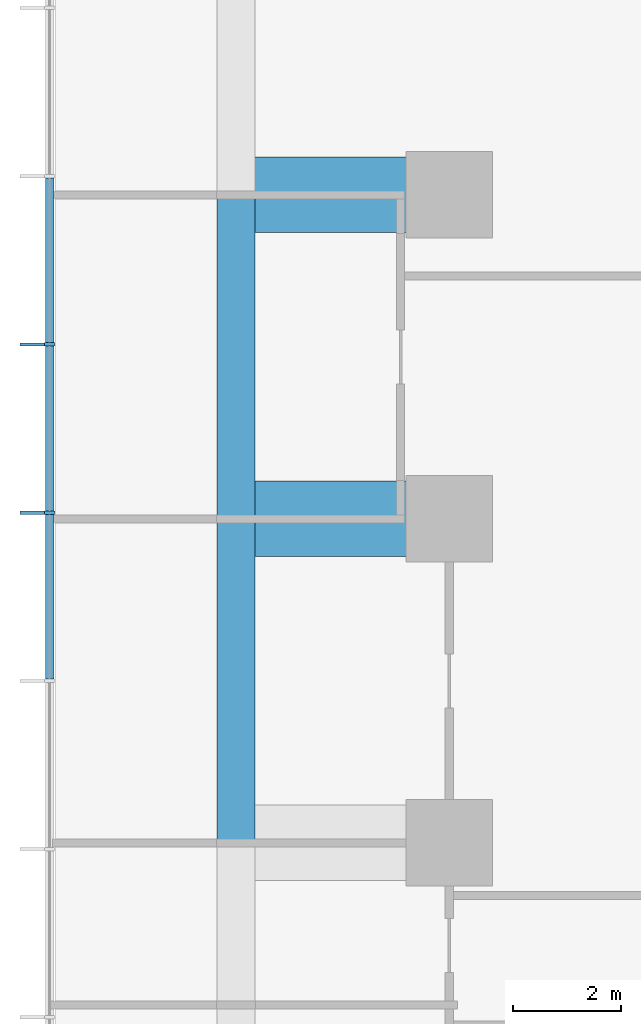
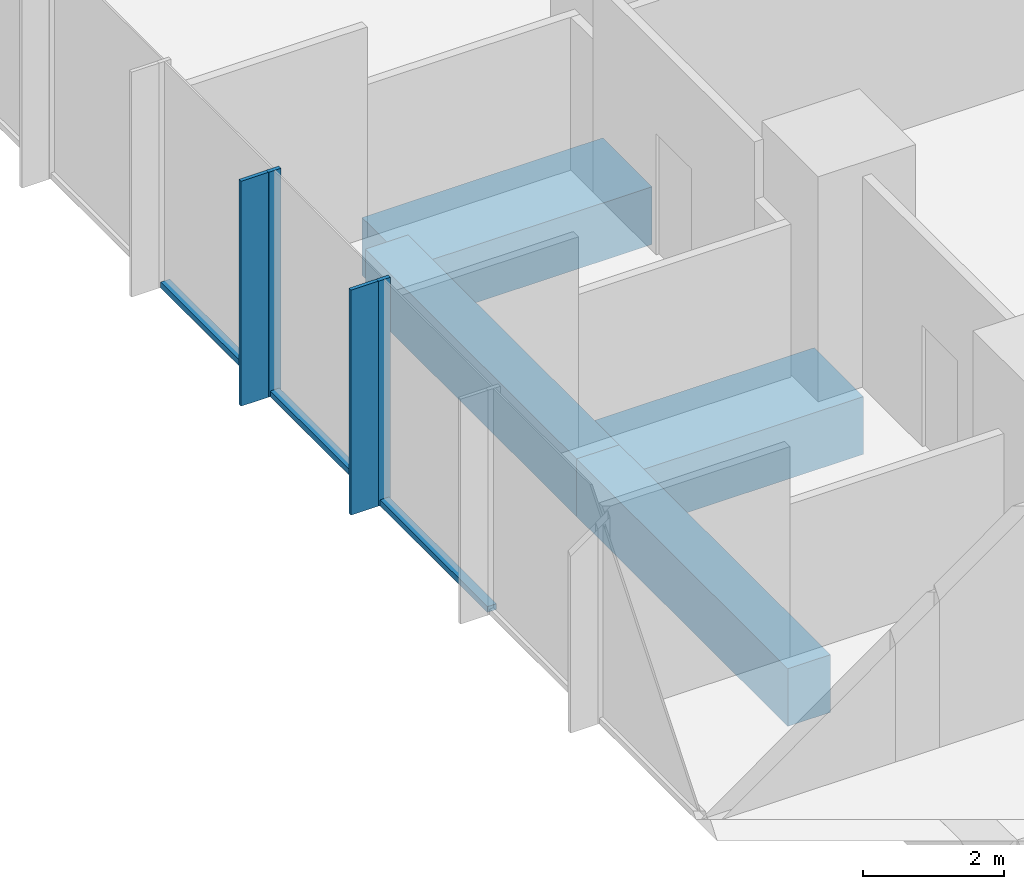
# One storey, part 3 of 11: 7 members, 4 beams, 1 element without a shape of its own.
"""IFC4 building model written with IfcOpenShell, lengths in metres."""

from ifc_helpers import new_model, si_unit, direction, frame, origin, origin_2d, place, context, subcontext, project, spatial, rectangle, extrude, material, layer, layer_set, material_profile, profile_set, type_object, element, aggregate, save


model = new_model("IFC4")

# Units and contexts
model_context = context("Model", 3, precision=1e-05, world=origin(), true_north=direction((0.0, 1.0)))
body_context = subcontext(model_context, "Body", "Model", "MODEL_VIEW")
ifc_project = project(units=[si_unit("LENGTHUNIT", "METRE"), si_unit("AREAUNIT", "SQUARE_METRE"), si_unit("VOLUMEUNIT", "CUBIC_METRE"), si_unit("PLANEANGLEUNIT", "RADIAN"), si_unit("MASSUNIT", "GRAM", prefix="KILO")], contexts=[model_context])

# Site, building, storey
site_placement = place(None, origin())
site = spatial("IfcSite", under=ifc_project, at=site_placement, CompositionType="ELEMENT")
building_placement = place(site_placement, origin())
building = spatial("IfcBuilding", under=site, at=building_placement, Name="Highveld Stack Headquarters", CompositionType="ELEMENT")
storey_placement = place(building_placement, frame((0.0, 0.0, 121.10009765625)))
storey = spatial("IfcBuildingStorey", under=building, at=storey_placement, Name="L29", CompositionType="ELEMENT", Elevation=121.10009765625)

# Beams
ifc_material_1 = material(Name="Concrete C60/75", Category="concrete")
ifc_material_profile_1 = material_profile(ifc_material_1, rectangle(XDim=1.39990234375, YDim=1.0, at=origin_2d()), Name="RC 1400x1000")
ifc_profile_set_1 = profile_set([ifc_material_profile_1], Name="Concrete C60/75")
beam_type_1 = type_object("IfcBeamType", Name="CANTILEVER RIB RC 1400x1000", PredefinedType="USERDEFINED", material=ifc_profile_set_1)
for number, where, z_axis, x_axis, name in (
    (1, (-18.0, 6.0, -0.75), (-1.0, 0.0, 0.0), (0.0, -1.0, 0.0), "Cantilever rib 3/F L29"),
    (2, (-18.0, 12.0, -0.75), (-1.0, 0.0, 0.0), (0.0, -1.0, 0.0), "Cantilever rib 3/G L29"),
):
    element("IfcBeam", number, at=place(storey_placement, frame(where, z_axis=z_axis, x_axis=x_axis)), inside=storey, type_object=beam_type_1, Name=name, ObjectType="CANTILEVER RIB", PredefinedType="USERDEFINED", context=body_context, shape_type="SweptSolid", body=[
        extrude(rectangle(XDim=1.39990234375, YDim=1.0, at=origin_2d()), origin(), (0.0, 0.0, 1.0), 3.949951171875),
    ])

# Curtain wall, members
ifc_material_2 = material(Name="Aluminium bronze anodised", Category="aluminium")
ifc_layer = layer(ifc_material_2, 0.199951171875)
ifc_layer_set = layer_set([ifc_layer], Name="Aluminium bronze anodised")
curtain_wall_type = type_object("IfcCurtainWallType", Name="CW1 TOWER UNITISED CURTAIN WALL", PredefinedType="NOTDEFINED", material=ifc_layer_set)
curtain_wall_placement = place(storey_placement, origin())
curtain_wall = element("IfcCurtainWall", 3, at=curtain_wall_placement, inside=storey, type_object=curtain_wall_type, Name="Curtain wall CW1 L29 W", PredefinedType="NOTDEFINED")
ifc_material_3 = material(Name="Aluminium bronze anodised", Category="aluminium")
ifc_material_profile_2 = material_profile(ifc_material_3, rectangle(XDim=0.449951171875, YDim=0.06005859375, at=origin_2d()), Name="FIN 450x60")
ifc_profile_set_2 = profile_set([ifc_material_profile_2], Name="Aluminium bronze anodised")
member_type_1 = type_object("IfcMemberType", Name="CW1 BRONZE FIN 450x60", PredefinedType="USERDEFINED", material=ifc_profile_set_2)
member_1_placement = place(storey_placement, frame((-25.72509765625, 9.23193359375, 0.0), z_axis=(0.0, 0.0, 1.0), x_axis=(1.0, 0.0, 0.0)))
member_1 = element("IfcMember", 4, at=member_1_placement, type_object=member_type_1, Name="CW1 fin L29 4", ObjectType="FIN", PredefinedType="USERDEFINED", context=body_context, shape_type="SweptSolid", body=[
    extrude(rectangle(XDim=0.449951171875, YDim=0.06005859375, at=origin_2d()), origin(), (0.0, 0.0, 1.0), 3.89990234375),
])
member_2_placement = place(storey_placement, frame((-25.72509765625, 6.115966796875, 0.0), z_axis=(0.0, 0.0, 1.0), x_axis=(1.0, 0.0, 0.0)))
member_2 = element("IfcMember", 5, at=member_2_placement, type_object=member_type_1, Name="CW1 fin L29 5", ObjectType="FIN", PredefinedType="USERDEFINED", context=body_context, shape_type="SweptSolid", body=[
    extrude(rectangle(XDim=0.449951171875, YDim=0.06005859375, at=origin_2d()), origin(), (0.0, 0.0, 1.0), 3.89990234375),
])
ifc_material_4 = material(Name="Aluminium bronze anodised", Category="aluminium")
ifc_material_profile_3 = material_profile(ifc_material_4, rectangle(XDim=0.199951171875, YDim=0.06494140625, at=origin_2d()), Name="CW1 MULLION 65x200")
ifc_profile_set_3 = profile_set([ifc_material_profile_3], Name="Aluminium bronze anodised")
member_type_2 = type_object("IfcMemberType", Name="CW1 MULLION 65x200", PredefinedType="MULLION", material=ifc_profile_set_3)
member_3_placement = place(storey_placement, frame((-25.39990234375, 9.23193359375, 0.0), z_axis=(0.0, 0.0, 1.0), x_axis=(1.0, 0.0, 0.0)))
member_3 = element("IfcMember", 6, at=member_3_placement, type_object=member_type_2, Name="CW1 mullion L29 4", PredefinedType="MULLION", context=body_context, shape_type="SweptSolid", body=[
    extrude(rectangle(XDim=0.199951171875, YDim=0.06494140625, at=origin_2d()), origin(), (0.0, 0.0, 1.0), 3.89990234375),
])
member_4_placement = place(storey_placement, frame((-25.39990234375, 6.115966796875, 0.0), z_axis=(0.0, 0.0, 1.0), x_axis=(1.0, 0.0, 0.0)))
member_4 = element("IfcMember", 7, at=member_4_placement, type_object=member_type_2, Name="CW1 mullion L29 5", PredefinedType="MULLION", context=body_context, shape_type="SweptSolid", body=[
    extrude(rectangle(XDim=0.199951171875, YDim=0.06494140625, at=origin_2d()), origin(), (0.0, 0.0, 1.0), 3.89990234375),
])
ifc_material_5 = material(Name="Aluminium bronze anodised", Category="aluminium")
ifc_material_profile_4 = material_profile(ifc_material_5, rectangle(XDim=0.14990234375, YDim=0.10009765625, at=origin_2d()), Name="CW1 TRANSOM 150x100")
ifc_profile_set_4 = profile_set([ifc_material_profile_4], Name="Aluminium bronze anodised")
member_type_3 = type_object("IfcMemberType", Name="CW1 STACK TRANSOM 150x100", PredefinedType="USERDEFINED", material=ifc_profile_set_4)
member_5_placement = place(storey_placement, frame((-25.39990234375, 12.3154296875, 0.0498046875), z_axis=(0.0, -1.0, 0.0), x_axis=(1.0, 0.0, 0.0)))
member_5 = element("IfcMember", 8, at=member_5_placement, type_object=member_type_3, Name="CW1 transom L29 3.1", ObjectType="TRANSOM", PredefinedType="USERDEFINED", context=body_context, shape_type="SweptSolid", body=[
    extrude(rectangle(XDim=0.14990234375, YDim=0.10009765625, at=origin_2d()), origin(), (0.0, 0.0, 1.0), 3.051025390625),
])
member_6_placement = place(storey_placement, frame((-25.39990234375, 9.199462890625, 0.0498046875), z_axis=(0.0, -1.0, 0.0), x_axis=(1.0, 0.0, 0.0)))
member_6 = element("IfcMember", 9, at=member_6_placement, type_object=member_type_3, Name="CW1 transom L29 4.1", ObjectType="TRANSOM", PredefinedType="USERDEFINED", context=body_context, shape_type="SweptSolid", body=[
    extrude(rectangle(XDim=0.14990234375, YDim=0.10009765625, at=origin_2d()), origin(), (0.0, 0.0, 1.0), 3.051025390625),
])
member_7_placement = place(storey_placement, frame((-25.39990234375, 6.08349609375, 0.0498046875), z_axis=(0.0, -1.0, 0.0), x_axis=(1.0, 0.0, 0.0)))
member_7 = element("IfcMember", 10, at=member_7_placement, type_object=member_type_3, Name="CW1 transom L29 5.1", ObjectType="TRANSOM", PredefinedType="USERDEFINED", context=body_context, shape_type="SweptSolid", body=[
    extrude(rectangle(XDim=0.14990234375, YDim=0.10009765625, at=origin_2d()), origin(), (0.0, 0.0, 1.0), 3.051025390625),
])
aggregate(curtain_wall, [member_3, member_1, member_4, member_2, member_5, member_6, member_7])

# Beams
ifc_material_6 = material(Name="Concrete C60/75", Category="concrete")
ifc_material_profile_5 = material_profile(ifc_material_6, rectangle(XDim=0.699951171875, YDim=1.0, at=origin_2d()), Name="RC 700x1000")
ifc_profile_set_5 = profile_set([ifc_material_profile_5], Name="Concrete C60/75")
beam_type_2 = type_object("IfcBeamType", Name="RIB TIP BEAM RC 700x1000", PredefinedType="SPANDREL", material=ifc_profile_set_5)
for number, where, z_axis, x_axis, name in (
    (11, (-21.949951171875, 0.0, -0.75), (0.0, 1.0, 0.0), (-1.0, 0.0, 0.0), "Rib tip beam 3/E to 3/F L29"),
    (12, (-21.949951171875, 6.0, -0.75), (0.0, 1.0, 0.0), (-1.0, 0.0, 0.0), "Rib tip beam 3/F to 3/G L29"),
):
    element("IfcBeam", number, at=place(storey_placement, frame(where, z_axis=z_axis, x_axis=x_axis)), inside=storey, type_object=beam_type_2, Name=name, PredefinedType="SPANDREL", context=body_context, shape_type="SweptSolid", body=[
        extrude(rectangle(XDim=0.699951171875, YDim=1.0, at=origin_2d()), origin(), (0.0, 0.0, 1.0), 6.0),
    ])

save(model, "model.ifc")
